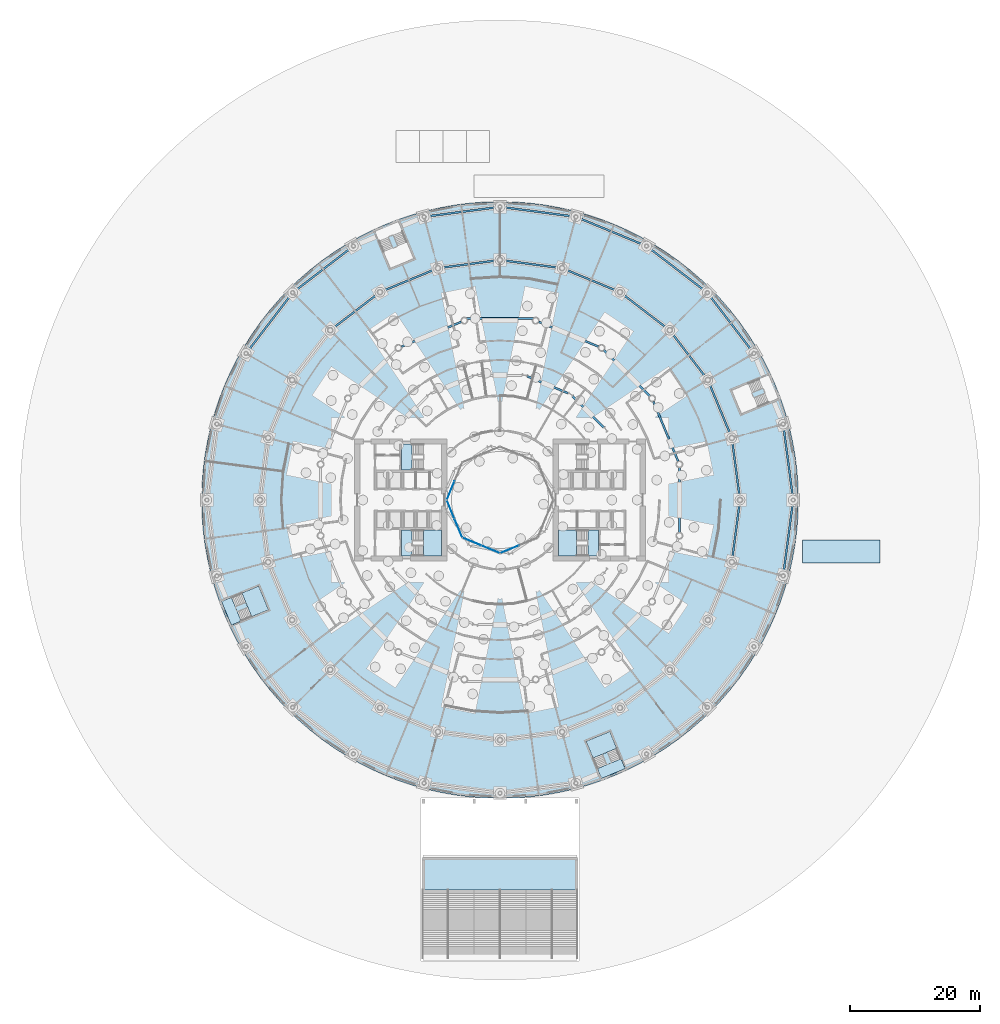
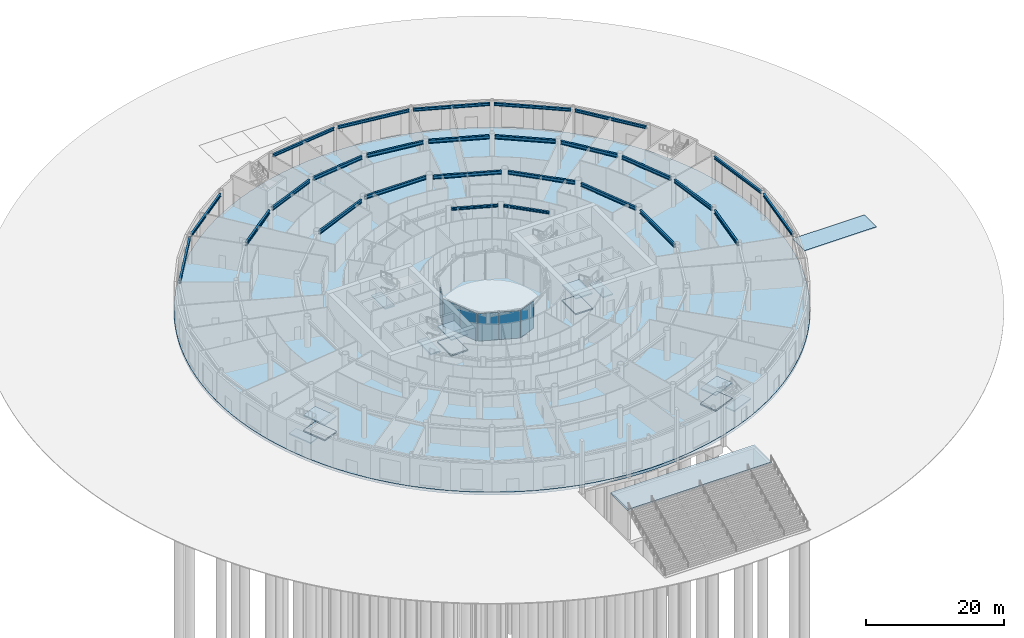
# One storey, part 15 of 41: 27 beams, 16 slabs, 6 plates, 9 elements without a shape of their own.
"""IFC4 building model written with IfcOpenShell, lengths in metres."""

import ifcopenshell
import ifcopenshell.guid

model = None  # the IFC model being written
_history = None  # IfcOwnerHistory: only IFC2X3 demands one
_inside = {}  # id of a spatial element -> (the spatial element, [elements in it])
_under = {}  # id of a project, library or spatial element -> (it, [spatial elements below it])
_declared = {}  # id of a project -> (the project, [libraries it declares])
_typed = {}  # id of a type object -> (the type object, [elements of that type])
_made_of = {}  # id of a material, layer set ... -> (it, [elements and type objects made of it])


def new_model(schema):
    """Start an empty IFC model of exactly this schema.

    Asked for "IFC4X3", IfcOpenShell would pick the latest addendum, in which some entities
    have other attributes; the version numbers below select the first issue.
    IFC2X3 requires an IfcOwnerHistory on every rooted entity: one is made here for all.
    """
    global model, _history
    if schema == "IFC4X3":
        model = ifcopenshell.file(schema_version=(4, 3, 0, 0))
    else:
        model = ifcopenshell.file(schema=schema)
    _inside.clear()
    _under.clear()
    _declared.clear()
    _typed.clear()
    _made_of.clear()
    _history = None
    if model.schema == "IFC2X3":
        org = make("IfcOrganization", Name="unknown")
        user = make(
            "IfcPersonAndOrganization",
            ThePerson=make("IfcPerson", FamilyName="unknown"),
            TheOrganization=org,
        )
        app = make(
            "IfcApplication",
            ApplicationDeveloper=org,
            Version="unknown",
            ApplicationFullName="unknown",
            ApplicationIdentifier="unknown",
        )
        _history = make(
            "IfcOwnerHistory",
            OwningUser=user,
            OwningApplication=app,
            ChangeAction="ADDED",
            CreationDate=0,
        )
    return model


def make(cls, **values):
    """One entity of the class cls with the attributes given. An attribute that is None is left unset."""
    return model.create_entity(
        cls, **{name: value for name, value in values.items() if value is not None}
    )


def rooted(cls, **values):
    """An entity with a GlobalId (a new one), such as an element, a storey or a relation."""
    return make(cls, GlobalId=ifcopenshell.guid.new(), OwnerHistory=_history, **values)


def si_unit(unit_type, name, prefix=None):
    """IfcSIUnit, for example si_unit("LENGTHUNIT", "METRE", prefix="MILLI")."""
    return make("IfcSIUnit", UnitType=unit_type, Prefix=prefix, Name=name)


def assignment(units):
    """IfcUnitAssignment: the units of a project."""
    return None if units is None else make("IfcUnitAssignment", Units=units)


def point(xyz):
    """IfcCartesianPoint."""
    return None if xyz is None else make("IfcCartesianPoint", Coordinates=xyz)


def direction(xyz):
    """IfcDirection."""
    return None if xyz is None else make("IfcDirection", DirectionRatios=xyz)


def frame(location, z_axis=None, x_axis=None):
    """IfcAxis2Placement3D, a coordinate frame: its origin and axes. An axis left out is left unset."""
    return make(
        "IfcAxis2Placement3D",
        Location=point(location),
        Axis=direction(z_axis),
        RefDirection=direction(x_axis),
    )


def frame_2d(location, x_axis=None):
    """IfcAxis2Placement2D, a coordinate frame in the plane: its origin and x axis."""
    return make(
        "IfcAxis2Placement2D", Location=point(location), RefDirection=direction(x_axis)
    )


def origin():
    """The frame at (0, 0, 0) with its axes left unset."""
    return frame((0.0, 0.0, 0.0))


def origin_2d():
    """The frame at (0, 0) in the plane with its x axis left unset."""
    return frame_2d((0.0, 0.0))


def place(relative_to, where):
    """IfcLocalPlacement: puts the frame where relative to a parent placement (None: the world)."""
    return make(
        "IfcLocalPlacement", PlacementRelTo=relative_to, RelativePlacement=where
    )


def context(
    kind, dimensions, precision=None, world=None, true_north=None, identifier=None
):
    """IfcGeometricRepresentationContext, for example the 3D "Model" context."""
    return make(
        "IfcGeometricRepresentationContext",
        ContextIdentifier=identifier,
        ContextType=kind,
        CoordinateSpaceDimension=dimensions,
        Precision=precision,
        WorldCoordinateSystem=world,
        TrueNorth=true_north,
    )


def subcontext(parent, identifier, kind, view, scale=None):
    """IfcGeometricRepresentationSubContext, for example "Body" below "Model"."""
    return make(
        "IfcGeometricRepresentationSubContext",
        ContextIdentifier=identifier,
        ContextType=kind,
        ParentContext=parent,
        TargetScale=scale,
        TargetView=view,
    )


def project(units=None, contexts=None):
    """IfcProject with its units and contexts."""
    return rooted(
        "IfcProject",
        Name="project",
        RepresentationContexts=contexts,
        UnitsInContext=assignment(units),
    )


def spatial(cls, under=None, at=None, **own):
    """A site, building, storey or space (cls), placed at a placement, below another one or the project."""
    s = rooted(cls, ObjectPlacement=at, **own)
    if under is not None:
        _under.setdefault(under.id(), (under, []))[1].append(s)
    return s


def polyline(points):
    """IfcPolyline through the points."""
    return make("IfcPolyline", Points=[point(p) for p in points])


def profile(cls, at=None, kind="AREA", **sizes):
    """A parametric profile (cls). Its sizes go by their IFC names, for example OverallWidth=200.0."""
    return make(cls, ProfileType=kind, Position=at, **sizes)


def rectangle(**sizes):
    """IfcRectangleProfileDef."""
    return profile("IfcRectangleProfileDef", **sizes)


def i_section(**sizes):
    """IfcIShapeProfileDef."""
    return profile("IfcIShapeProfileDef", **sizes)


def outline(outer, holes=None, kind="AREA"):
    """IfcArbitraryClosedProfileDef: a profile drawn as a closed curve; with holes, ...WithVoids."""
    if holes is None:
        return make("IfcArbitraryClosedProfileDef", ProfileType=kind, OuterCurve=outer)
    return make(
        "IfcArbitraryProfileDefWithVoids",
        ProfileType=kind,
        OuterCurve=outer,
        InnerCurves=holes,
    )


def extrude(swept, where, along, depth):
    """IfcExtrudedAreaSolid: the profile swept, set in the frame where, extruded along a direction by depth."""
    return make(
        "IfcExtrudedAreaSolid",
        SweptArea=swept,
        Position=where,
        ExtrudedDirection=direction(along),
        Depth=depth,
    )


def shape(context_of_items, identifier, shape_type, items):
    """IfcShapeRepresentation: the items that make up one representation, for example the "Body"."""
    return make(
        "IfcShapeRepresentation",
        ContextOfItems=context_of_items,
        RepresentationIdentifier=identifier,
        RepresentationType=shape_type,
        Items=items,
    )


def material(Name=None, Category=None):
    """IfcMaterial."""
    return make("IfcMaterial", Name=Name, Category=Category)


def layer(
    of_material, thickness, ventilated=None, Name=None, Category=None, Priority=None
):
    """IfcMaterialLayer: one layer of a wall or slab, of a material (None: an air gap)."""
    return make(
        "IfcMaterialLayer",
        Material=of_material,
        LayerThickness=thickness,
        IsVentilated=ventilated,
        Name=Name,
        Category=Category,
        Priority=Priority,
    )


def layer_set(layers, Name=None):
    """IfcMaterialLayerSet."""
    return make("IfcMaterialLayerSet", MaterialLayers=layers, LayerSetName=Name)


def material_profile(
    of_material, cross_section, Name=None, Category=None, Priority=None
):
    """IfcMaterialProfile: a cross section and its material."""
    return make(
        "IfcMaterialProfile",
        Name=Name,
        Material=of_material,
        Profile=cross_section,
        Priority=Priority,
        Category=Category,
    )


def profile_set(profiles, Name=None, composite=None):
    """IfcMaterialProfileSet."""
    return make(
        "IfcMaterialProfileSet",
        Name=Name,
        MaterialProfiles=profiles,
        CompositeProfile=composite,
    )


def made_of(thing, what):
    """Note that an element or type object is made of a material, layer set ...; save() writes the relation."""
    if what is not None:
        _made_of.setdefault(what.id(), (what, []))[1].append(thing)
    return thing


def type_object(cls, material=None, **own):
    """A type object (cls), such as IfcWallType, which elements share."""
    return made_of(rooted(cls, **own), material)


def element(
    cls,
    number,
    at=None,
    inside=None,
    cuts=None,
    type_object=None,
    material=None,
    context=None,
    identifier="Body",
    shape_type=None,
    held_by="IfcProductDefinitionShape",
    body=None,
    shapes=None,
    **own,
):
    """One element of the class cls, such as IfcWall. Its Tag is "e" and its number.

    at: its placement. inside: the storey or other place that contains it. cuts: it is an
    opening in that element (IfcRelVoidsElement). A single representation is given by context,
    identifier, shape_type and body (its items); several are given by shapes. held_by: the class
    of the entity that holds the representations. save() writes the other relations.
    """
    e = rooted(cls, Tag="e%d" % number, ObjectPlacement=at, **own)
    if body is not None:
        shapes = [shape(context, identifier, shape_type, body)]
    if shapes is not None:
        e.Representation = make(held_by, Representations=shapes)
    if inside is not None:
        _inside.setdefault(inside.id(), (inside, []))[1].append(e)
    if cuts is not None:
        rooted(
            "IfcRelVoidsElement", RelatingBuildingElement=cuts, RelatedOpeningElement=e
        )
    if type_object is not None:
        _typed.setdefault(type_object.id(), (type_object, []))[1].append(e)
    return made_of(e, material)


def aggregate(whole, parts):
    """IfcRelAggregates: a whole, such as a stair, and the parts it consists of."""
    return rooted("IfcRelAggregates", RelatingObject=whole, RelatedObjects=parts)


def save(model, path):
    """Write the relations noted so far, then the file.

    IfcRelAggregates (storeys below a building ...), IfcRelContainedInSpatialStructure (elements
    in a storey), IfcRelDefinesByType, IfcRelAssociatesMaterial and IfcRelDeclares: one each for
    every whole, place, type object, material and project.
    """
    for whole, parts in _under.values():
        aggregate(whole, parts)
    for where, things in _inside.values():
        rooted(
            "IfcRelContainedInSpatialStructure",
            RelatedElements=things,
            RelatingStructure=where,
        )
    for kind, things in _typed.values():
        rooted("IfcRelDefinesByType", RelatedObjects=things, RelatingType=kind)
    for what, things in _made_of.values():
        rooted("IfcRelAssociatesMaterial", RelatedObjects=things, RelatingMaterial=what)
    for by, libraries in _declared.values():
        rooted("IfcRelDeclares", RelatingContext=by, RelatedDefinitions=libraries)
    model.write(path)


model = new_model("IFC4")

# Units and contexts
model_context = context("Model", 3, precision=1e-05, world=origin(), true_north=direction((0.0, 1.0)))
body_context = subcontext(model_context, "Body", "Model", "MODEL_VIEW")
ifc_project = project(units=[si_unit("LENGTHUNIT", "METRE"), si_unit("AREAUNIT", "SQUARE_METRE"), si_unit("VOLUMEUNIT", "CUBIC_METRE"), si_unit("PLANEANGLEUNIT", "RADIAN"), si_unit("MASSUNIT", "GRAM", prefix="KILO")], contexts=[model_context])

# Site, building, storey
site_placement = place(None, origin())
site = spatial("IfcSite", under=ifc_project, at=site_placement, CompositionType="ELEMENT")
building_placement = place(site_placement, origin())
building = spatial("IfcBuilding", under=site, at=building_placement, Name="Maasbend Ring Residences", CompositionType="ELEMENT")
storey_placement = place(building_placement, origin())
storey = spatial("IfcBuildingStorey", under=building, at=storey_placement, Name="L00", CompositionType="ELEMENT", Elevation=0.0)

# Beams
ifc_material_1 = material(Name="Steel S355J2", Category="steel")
ifc_material_profile_1 = material_profile(ifc_material_1, i_section(OverallWidth=0.300048828125, OverallDepth=0.39990234375, WebThickness=0.013427734375, FlangeThickness=0.02392578125, FilletRadius=0.027099609375, at=origin_2d()), Name="HEB 400")
ifc_profile_set_1 = profile_set([ifc_material_profile_1], Name="Steel S355J2")
beam_type_1 = type_object("IfcBeamType", Name="Corridor ring beam HEB 400", PredefinedType="BEAM", material=ifc_profile_set_1)
for number, where, z_axis, x_axis, name in (
    (1, (16.00341796875, 11.1826171875, 4.75), (-0.707106781187, 0.707106781187, 0.0), (-0.707106781187, -0.707106781187, 0.0), "Corridor ring beam"),
    (2, (10.505859375, 16.45556640625, 4.75), (-0.92387061516, 0.382704960046, 0.0), (-0.382704960046, -0.92387061516, 0.0), "Corridor ring beam"),
):
    element("IfcBeam", number, at=place(storey_placement, frame(where, z_axis=z_axis, x_axis=x_axis)), inside=storey, type_object=beam_type_1, Name=name, PredefinedType="BEAM", context=body_context, shape_type="SweptSolid", body=[
        extrude(i_section(OverallWidth=0.300048828125, OverallDepth=0.39990234375, WebThickness=0.013427734375, FlangeThickness=0.02392578125, FilletRadius=0.027099609375, at=origin_2d()), origin(), (0.0, 0.0, 1.0), 6.817626953125),
    ])
ifc_material_2 = material(Name="Steel S355J2", Category="steel")
ifc_material_profile_2 = material_profile(ifc_material_2, i_section(OverallWidth=0.300048828125, OverallDepth=0.5, WebThickness=0.014404296875, FlangeThickness=0.028076171875, FilletRadius=0.027099609375, at=origin_2d()), Name="HEB 500")
ifc_profile_set_2 = profile_set([ifc_material_profile_2], Name="Steel S355J2")
beam_type_2 = type_object("IfcBeamType", Name="Podium ring beam HEB 500", PredefinedType="BEAM", material=ifc_profile_set_2)
for number, where, z_axis, x_axis, name in (
    (3, (45.16015625, 0.302490234375, 4.699951171875), (-0.130519983501, 0.991445678747, 0.0), (-0.991445678747, -0.130519983501, 0.0), "Podium ring beam"),
    (4, (38.95849609375, 22.842041015625, 4.699951171875), (-0.608750763691, 0.793361523963, 0.0), (-0.793361523963, -0.608750763691, 0.0), "Podium ring beam"),
    (5, (31.71923828125, 32.14697265625, 4.699951171875), (-0.793361523963, 0.608750763691, 0.0), (-0.608750763691, -0.793361523963, 0.0), "Podium ring beam"),
    (6, (22.318115234375, 39.260986328125, 4.699951171875), (-0.923872164384, 0.382701220114, 0.0), (-0.382701220114, -0.923872164384, 0.0), "Podium ring beam"),
    (7, (11.396240234375, 43.69970703125, 4.699951171875), (-0.991445678747, 0.130519983501, 0.0), (-0.130519983501, -0.991445678747, 0.0), "Podium ring beam"),
    (8, (-0.302490234375, 45.16015625, 4.699951171875), (-0.991445678747, -0.130519983501, 0.0), (0.130519983501, -0.991445678747, 0.0), "Podium ring beam"),
    (9, (-22.842041015625, 38.95849609375, 4.699951171875), (-0.793361523963, -0.608750763691, 0.0), (0.608750763691, -0.793361523963, 0.0), "Podium ring beam"),
    (10, (-32.14697265625, 31.71923828125, 4.699951171875), (-0.608750763691, -0.793361523963, 0.0), (0.793361523963, -0.608750763691, 0.0), "Podium ring beam"),
    (11, (43.69970703125, -11.396240234375, 4.699951171875), (0.130519983501, 0.991445678747, 0.0), (-0.991445678747, 0.130519983501, 0.0), "Podium ring beam"),
):
    element("IfcBeam", number, at=place(storey_placement, frame(where, z_axis=z_axis, x_axis=x_axis)), inside=storey, type_object=beam_type_2, Name=name, PredefinedType="BEAM", context=body_context, shape_type="SweptSolid", body=[
        extrude(i_section(OverallWidth=0.300048828125, OverallDepth=0.5, WebThickness=0.014404296875, FlangeThickness=0.028076171875, FilletRadius=0.027099609375, at=origin_2d()), origin(), (0.0, 0.0, 1.0), 11.189453125),
    ])
ifc_material_3 = material(Name="Steel S460M", Category="steel")
ifc_material_profile_3 = material_profile(ifc_material_3, i_section(OverallWidth=0.300048828125, OverallDepth=0.60009765625, WebThickness=0.015380859375, FlangeThickness=0.030029296875, FilletRadius=0.027099609375, at=origin_2d()), Name="HEB 600")
ifc_profile_set_3 = profile_set([ifc_material_profile_3], Name="Steel S460M")
beam_type_3 = type_object("IfcBeamType", Name="Podium ring beam HEB 600", PredefinedType="BEAM", material=ifc_profile_set_3)
for number, where, z_axis, x_axis, name in (
    (12, (36.947021484375, 0.403076171875, 4.64990234375), (-0.13051662461, 0.991446120927, 0.0), (-0.991446120927, -0.13051662461, 0.0), "Podium ring beam"),
    (13, (35.583740234375, 9.951904296875, 4.64990234375), (-0.382688167356, 0.923877571199, 0.0), (-0.923877571199, -0.382688167356, 0.0), "Podium ring beam"),
    (14, (31.79541015625, 18.822509765625, 4.64990234375), (-0.608751326002, 0.793361092499, 0.0), (-0.793361092499, -0.608751326002, 0.0), "Podium ring beam"),
    (15, (25.840576171875, 26.410400390625, 4.64990234375), (-0.793361092499, 0.608751326002, 0.0), (-0.608751326002, -0.793361092499, 0.0), "Podium ring beam"),
    (16, (18.12451171875, 32.198486328125, 4.64990234375), (-0.923877571199, 0.382688167356, 0.0), (-0.382688167356, -0.923877571199, 0.0), "Podium ring beam"),
    (17, (9.17333984375, 35.79248046875, 4.64990234375), (-0.991446120927, 0.13051662461, 0.0), (-0.13051662461, -0.991446120927, 0.0), "Podium ring beam"),
    (18, (-0.403076171875, 36.947021484375, 4.64990234375), (-0.991446120927, -0.13051662461, 0.0), (0.13051662461, -0.991446120927, 0.0), "Podium ring beam"),
    (19, (-9.951904296875, 35.583740234375, 4.64990234375), (-0.923877571199, -0.382688167356, 0.0), (0.382688167356, -0.923877571199, 0.0), "Podium ring beam"),
    (20, (-18.822509765625, 31.79541015625, 4.64990234375), (-0.793361092499, -0.608751326002, 0.0), (0.608751326002, -0.793361092499, 0.0), "Podium ring beam"),
    (21, (35.79248046875, -9.17333984375, 4.64990234375), (0.13051662461, 0.991446120927, 0.0), (-0.991446120927, 0.13051662461, 0.0), "Podium ring beam"),
):
    element("IfcBeam", number, at=place(storey_placement, frame(where, z_axis=z_axis, x_axis=x_axis)), inside=storey, type_object=beam_type_3, Name=name, PredefinedType="BEAM", context=body_context, shape_type="SweptSolid", body=[
        extrude(i_section(OverallWidth=0.300048828125, OverallDepth=0.60009765625, WebThickness=0.015380859375, FlangeThickness=0.030029296875, FilletRadius=0.027099609375, at=origin_2d()), origin(), (0.0, 0.0, 1.0), 8.845947265625),
    ])
ifc_material_4 = material(Name="Steel S460M", Category="steel")
ifc_material_profile_4 = material_profile(ifc_material_4, i_section(OverallWidth=0.300048828125, OverallDepth=0.60009765625, WebThickness=0.015380859375, FlangeThickness=0.030029296875, FilletRadius=0.027099609375, at=origin_2d()), Name="HEB 600")
ifc_profile_set_4 = profile_set([ifc_material_profile_4], Name="Steel S460M")
beam_type_4 = type_object("IfcBeamType", Name="Spandrel ring beam HEB 600", PredefinedType="SPANDREL", material=ifc_profile_set_4)
beam_1_placement = place(storey_placement, frame((27.463623046875, 5.970703125, 4.64990234375), z_axis=(-0.382667003395, 0.923886337442, 0.0), x_axis=(-0.923886337442, -0.382667003395, 0.0)))
element("IfcBeam", 22, at=beam_1_placement, inside=storey, type_object=beam_type_4, Name="Spandrel ring beam", PredefinedType="SPANDREL", context=body_context, shape_type="SweptSolid", body=[
    extrude(i_section(OverallWidth=0.300048828125, OverallDepth=0.60009765625, WebThickness=0.015380859375, FlangeThickness=0.030029296875, FilletRadius=0.027099609375, at=origin_2d()), origin(), (0.0, 0.0, 1.0), 9.9873046875),
])
beam_2_placement = place(storey_placement, frame((23.088134765625, 16.0263671875, 4.64990234375), z_axis=(-0.707106781187, 0.707106781187, 0.0), x_axis=(-0.707106781187, -0.707106781187, 0.0)))
element("IfcBeam", 23, at=beam_2_placement, inside=storey, type_object=beam_type_4, Name="Spandrel ring beam", PredefinedType="SPANDREL", context=body_context, shape_type="SweptSolid", body=[
    extrude(i_section(OverallWidth=0.300048828125, OverallDepth=0.60009765625, WebThickness=0.015380859375, FlangeThickness=0.030029296875, FilletRadius=0.027099609375, at=origin_2d()), origin(), (0.0, 0.0, 1.0), 9.98681640625),
])
beam_3_placement = place(storey_placement, frame((15.19775390625, 23.641845703125, 4.64990234375), z_axis=(-0.923886337442, 0.382667003395, 0.0), x_axis=(-0.382667003395, -0.923886337442, 0.0)))
element("IfcBeam", 24, at=beam_3_placement, inside=storey, type_object=beam_type_4, Name="Spandrel ring beam", PredefinedType="SPANDREL", context=body_context, shape_type="SweptSolid", body=[
    extrude(i_section(OverallWidth=0.300048828125, OverallDepth=0.60009765625, WebThickness=0.015380859375, FlangeThickness=0.030029296875, FilletRadius=0.027099609375, at=origin_2d()), origin(), (0.0, 0.0, 1.0), 9.9873046875),
])
beam_4_placement = place(storey_placement, frame((5.1435546875, 27.9580078125, 4.64990234375), z_axis=(-1.0, 0.0, 0.0), x_axis=(0.0, -1.0, 0.0)))
element("IfcBeam", 25, at=beam_4_placement, inside=storey, type_object=beam_type_4, Name="Spandrel ring beam", PredefinedType="SPANDREL", context=body_context, shape_type="SweptSolid", body=[
    extrude(i_section(OverallWidth=0.300048828125, OverallDepth=0.60009765625, WebThickness=0.015380859375, FlangeThickness=0.030029296875, FilletRadius=0.027099609375, at=origin_2d()), origin(), (0.0, 0.0, 1.0), 10.287109375),
])
beam_5_placement = place(storey_placement, frame((-5.970703125, 27.463623046875, 4.64990234375), z_axis=(-0.923886337442, -0.382667003395, 0.0), x_axis=(0.382667003395, -0.923886337442, 0.0)))
element("IfcBeam", 26, at=beam_5_placement, inside=storey, type_object=beam_type_4, Name="Spandrel ring beam", PredefinedType="SPANDREL", context=body_context, shape_type="SweptSolid", body=[
    extrude(i_section(OverallWidth=0.300048828125, OverallDepth=0.60009765625, WebThickness=0.015380859375, FlangeThickness=0.030029296875, FilletRadius=0.027099609375, at=origin_2d()), origin(), (0.0, 0.0, 1.0), 9.9873046875),
])
beam_6_placement = place(storey_placement, frame((27.658203125, -4.993408203125, 4.64990234375), z_axis=(0.0, 1.0, 0.0), x_axis=(-1.0, 0.0, 0.0)))
element("IfcBeam", 27, at=beam_6_placement, inside=storey, type_object=beam_type_4, Name="Spandrel ring beam", PredefinedType="SPANDREL", context=body_context, shape_type="SweptSolid", body=[
    extrude(i_section(OverallWidth=0.300048828125, OverallDepth=0.60009765625, WebThickness=0.015380859375, FlangeThickness=0.030029296875, FilletRadius=0.027099609375, at=origin_2d()), origin(), (0.0, 0.0, 1.0), 9.98681640625),
])

# Stair, slabs
ifc_material_5 = material(Name="Concrete C40/50", Category="concrete")
stair_type = type_object("IfcStairType", Name="CORE STAIR 32 RISERS", PredefinedType="HALF_TURN_STAIR", material=ifc_material_5)
stair_1_placement = place(storey_placement, origin())
stair_1 = element("IfcStair", 28, at=stair_1_placement, inside=storey, type_object=stair_type, Name="L00 Exit stair ST-E2", PredefinedType="HALF_TURN_STAIR")
ifc_material_6 = material(Name="Concrete C40/50", Category="concrete")
ifc_layer_1 = layer(ifc_material_6, 0.199951171875)
ifc_layer_set_1 = layer_set([ifc_layer_1], Name="Concrete C40/50")
slab_type_1 = type_object("IfcSlabType", Name="CORE STAIR LANDING 200", PredefinedType="LANDING", material=ifc_layer_set_1)
slab_1_placement = place(storey_placement, frame((0.0, 0.0, 1.14990234375)))
slab_1 = element("IfcSlab", 29, at=slab_1_placement, type_object=slab_type_1, Name="ST-E2 landing 1", PredefinedType="LANDING", context=body_context, shape_type="SweptSolid", body=[
    extrude(outline(polyline([(11.800048828125, -4.64990234375), (9.0, -4.64990234375), (9.0, -8.60009765625), (11.800048828125, -8.60009765625), (11.800048828125, -4.64990234375)])), origin(), (0.0, 0.0, 1.0), 0.2001953125),
])
slab_2_placement = place(storey_placement, frame((0.0, 0.0, 2.5)))
slab_2 = element("IfcSlab", 30, at=slab_2_placement, type_object=slab_type_1, Name="ST-E2 landing 2", PredefinedType="LANDING", context=body_context, shape_type="SweptSolid", body=[
    extrude(outline(polyline([(15.199951171875, -4.64990234375), (13.550048828125, -4.64990234375), (13.550048828125, -8.60009765625), (15.199951171875, -8.60009765625), (15.199951171875, -4.64990234375)])), origin(), (0.0, 0.0, 1.0), 0.199951171875),
])
slab_3_placement = place(storey_placement, frame((0.0, 0.0, 3.85009765625)))
slab_3 = element("IfcSlab", 31, at=slab_3_placement, type_object=slab_type_1, Name="ST-E2 landing 3", PredefinedType="LANDING", context=body_context, shape_type="SweptSolid", body=[
    extrude(outline(polyline([(11.800048828125, -4.64990234375), (9.0, -4.64990234375), (9.0, -8.60009765625), (11.800048828125, -8.60009765625), (11.800048828125, -4.64990234375)])), origin(), (0.0, 0.0, 1.0), 0.199951171875),
])
aggregate(stair_1, [slab_1, slab_2, slab_3])

stair_2_placement = place(storey_placement, origin())
stair_2 = element("IfcStair", 32, at=stair_2_placement, inside=storey, type_object=stair_type, Name="L00 Exit stair ST-W1", PredefinedType="HALF_TURN_STAIR")
slab_4_placement = place(storey_placement, frame((0.0, 0.0, 1.14990234375)))
slab_4 = element("IfcSlab", 33, at=slab_4_placement, type_object=slab_type_1, Name="ST-W1 landing 1", PredefinedType="LANDING", context=body_context, shape_type="SweptSolid", body=[
    extrude(outline(polyline([(-11.800048828125, -8.60009765625), (-9.0, -8.60009765625), (-9.0, -4.64990234375), (-11.800048828125, -4.64990234375), (-11.800048828125, -8.60009765625)])), origin(), (0.0, 0.0, 1.0), 0.2001953125),
])
slab_5_placement = place(storey_placement, frame((0.0, 0.0, 2.5)))
slab_5 = element("IfcSlab", 34, at=slab_5_placement, type_object=slab_type_1, Name="ST-W1 landing 2", PredefinedType="LANDING", context=body_context, shape_type="SweptSolid", body=[
    extrude(outline(polyline([(-15.199951171875, -8.60009765625), (-13.550048828125, -8.60009765625), (-13.550048828125, -4.64990234375), (-15.199951171875, -4.64990234375), (-15.199951171875, -8.60009765625)])), origin(), (0.0, 0.0, 1.0), 0.199951171875),
])
slab_6_placement = place(storey_placement, frame((0.0, 0.0, 3.85009765625)))
slab_6 = element("IfcSlab", 35, at=slab_6_placement, type_object=slab_type_1, Name="ST-W1 landing 3", PredefinedType="LANDING", context=body_context, shape_type="SweptSolid", body=[
    extrude(outline(polyline([(-11.800048828125, -8.60009765625), (-9.0, -8.60009765625), (-9.0, -4.64990234375), (-11.800048828125, -4.64990234375), (-11.800048828125, -8.60009765625)])), origin(), (0.0, 0.0, 1.0), 0.199951171875),
])
aggregate(stair_2, [slab_4, slab_5, slab_6])

# Stair, slab
stair_3_placement = place(storey_placement, origin())
stair_3 = element("IfcStair", 36, at=stair_3_placement, inside=storey, type_object=stair_type, Name="L00 Exit stair ST-W2", PredefinedType="HALF_TURN_STAIR")
slab_7_placement = place(storey_placement, frame((0.0, 0.0, 2.5)))
slab_7 = element("IfcSlab", 37, at=slab_7_placement, type_object=slab_type_1, Name="ST-W2 landing 2", PredefinedType="LANDING", context=body_context, shape_type="SweptSolid", body=[
    extrude(outline(polyline([(-15.199951171875, 4.64990234375), (-13.550048828125, 4.64990234375), (-13.550048828125, 8.60009765625), (-15.199951171875, 8.60009765625), (-15.199951171875, 4.64990234375)])), origin(), (0.0, 0.0, 1.0), 0.199951171875),
])
aggregate(stair_3, [slab_7])

# Stair, slabs
stair_4_placement = place(storey_placement, origin())
stair_4 = element("IfcStair", 38, at=stair_4_placement, inside=storey, type_object=stair_type, Name="L00 Exit stair ST-P2", PredefinedType="HALF_TURN_STAIR")
slab_8_placement = place(storey_placement, frame((0.0, 0.0, 1.14990234375)))
slab_8 = element("IfcSlab", 39, at=slab_8_placement, type_object=slab_type_1, Name="ST-P2 landing 1", PredefinedType="LANDING", context=body_context, shape_type="SweptSolid", body=[
    extrude(outline(polyline([(17.992919921875, -38.278076171875), (16.921630859375, -35.691162109375), (13.272216796875, -37.202880859375), (14.34375, -39.789794921875), (17.992919921875, -38.278076171875)])), origin(), (0.0, 0.0, 1.0), 0.2001953125),
])
slab_9_placement = place(storey_placement, frame((0.0, 0.0, 2.5)))
slab_9 = element("IfcSlab", 40, at=slab_9_placement, type_object=slab_type_1, Name="ST-P2 landing 2", PredefinedType="LANDING", context=body_context, shape_type="SweptSolid", body=[
    extrude(outline(polyline([(19.294189453125, -41.419189453125), (18.662841796875, -39.89501953125), (15.013427734375, -41.406494140625), (15.644775390625, -42.930908203125), (19.294189453125, -41.419189453125)])), origin(), (0.0, 0.0, 1.0), 0.199951171875),
])
slab_10_placement = place(storey_placement, frame((0.0, 0.0, 3.85009765625)))
slab_10 = element("IfcSlab", 41, at=slab_10_placement, type_object=slab_type_1, Name="ST-P2 landing 3", PredefinedType="LANDING", context=body_context, shape_type="SweptSolid", body=[
    extrude(outline(polyline([(17.992919921875, -38.278076171875), (16.921630859375, -35.691162109375), (13.272216796875, -37.202880859375), (14.34375, -39.789794921875), (17.992919921875, -38.278076171875)])), origin(), (0.0, 0.0, 1.0), 0.199951171875),
])
aggregate(stair_4, [slab_8, slab_9, slab_10])

stair_5_placement = place(storey_placement, origin())
stair_5 = element("IfcStair", 42, at=stair_5_placement, inside=storey, type_object=stair_type, Name="L00 Exit stair ST-P6", PredefinedType="HALF_TURN_STAIR")
slab_11_placement = place(storey_placement, frame((0.0, 0.0, 1.14990234375)))
slab_11 = element("IfcSlab", 43, at=slab_11_placement, type_object=slab_type_1, Name="ST-P6 landing 1", PredefinedType="LANDING", context=body_context, shape_type="SweptSolid", body=[
    extrude(outline(polyline([(-38.278076171875, -17.992919921875), (-35.691162109375, -16.921630859375), (-37.202880859375, -13.272216796875), (-39.789794921875, -14.34375), (-38.278076171875, -17.992919921875)])), origin(), (0.0, 0.0, 1.0), 0.2001953125),
])
slab_12_placement = place(storey_placement, frame((0.0, 0.0, 2.5)))
slab_12 = element("IfcSlab", 44, at=slab_12_placement, type_object=slab_type_1, Name="ST-P6 landing 2", PredefinedType="LANDING", context=body_context, shape_type="SweptSolid", body=[
    extrude(outline(polyline([(-41.419189453125, -19.294189453125), (-39.89501953125, -18.662841796875), (-41.406494140625, -15.013427734375), (-42.930908203125, -15.644775390625), (-41.419189453125, -19.294189453125)])), origin(), (0.0, 0.0, 1.0), 0.199951171875),
])
slab_13_placement = place(storey_placement, frame((0.0, 0.0, 3.85009765625)))
slab_13 = element("IfcSlab", 45, at=slab_13_placement, type_object=slab_type_1, Name="ST-P6 landing 3", PredefinedType="LANDING", context=body_context, shape_type="SweptSolid", body=[
    extrude(outline(polyline([(-38.278076171875, -17.992919921875), (-35.691162109375, -16.921630859375), (-37.202880859375, -13.272216796875), (-39.789794921875, -14.34375), (-38.278076171875, -17.992919921875)])), origin(), (0.0, 0.0, 1.0), 0.199951171875),
])
aggregate(stair_5, [slab_11, slab_12, slab_13])

# Curtain wall, plate
ifc_material_7 = material(Name="Aluminium and clear glass", Category="aluminium")
ifc_layer_2 = layer(ifc_material_7, 0.199951171875)
ifc_layer_set_2 = layer_set([ifc_layer_2], Name="CW-LR")
curtain_wall_type = type_object("IfcCurtainWallType", Name="CW-LR", PredefinedType="NOTDEFINED", material=ifc_layer_set_2)
curtain_wall_1_placement = place(storey_placement, origin())
curtain_wall_1 = element("IfcCurtainWall", 46, at=curtain_wall_1_placement, inside=storey, type_object=curtain_wall_type, Name="Lobby ring curtain wall 04", PredefinedType="NOTDEFINED")
ifc_material_8 = material(Name="Glass clear laminated", Category="glass")
ifc_layer_3 = layer(ifc_material_8, 0.035888671875)
ifc_layer_set_3 = layer_set([ifc_layer_3], Name="CWP-LR")
plate_type = type_object("IfcPlateType", Name="CWP-LR", PredefinedType="CURTAIN_PANEL", material=ifc_layer_set_3)
plate_1_placement = place(storey_placement, frame((-7.607177734375, 1.468505859375, 0.0), z_axis=(0.0, 0.0, 1.0), x_axis=(-0.382683432365, -0.923879532511, 0.0)))
plate_1 = element("IfcPlate", 47, at=plate_1_placement, type_object=plate_type, Name="Glass panel podium lobby ring", PredefinedType="CURTAIN_PANEL", context=body_context, shape_type="SweptSolid", body=[
    extrude(rectangle(XDim=3.038818359375, YDim=0.035888671875, at=origin_2d()), origin(), (0.0, 0.0, 1.0), 4.830078125),
])
aggregate(curtain_wall_1, [plate_1])

# Curtain wall, plates
curtain_wall_2_placement = place(storey_placement, origin())
curtain_wall_2 = element("IfcCurtainWall", 48, at=curtain_wall_2_placement, inside=storey, type_object=curtain_wall_type, Name="Lobby ring curtain wall 05", PredefinedType="NOTDEFINED")
plate_2_placement = place(storey_placement, frame((-7.607177734375, -1.468505859375, 0.0), z_axis=(0.0, 0.0, 1.0), x_axis=(0.382683432365, -0.923879532511, 0.0)))
plate_2 = element("IfcPlate", 49, at=plate_2_placement, type_object=plate_type, Name="Glass panel podium lobby ring", PredefinedType="CURTAIN_PANEL", context=body_context, shape_type="SweptSolid", body=[
    extrude(rectangle(XDim=3.038818359375, YDim=0.035888671875, at=origin_2d()), origin(), (0.0, 0.0, 1.0), 4.830078125),
])
plate_3_placement = place(storey_placement, frame((-6.41748046875, -4.340576171875, 0.0), z_axis=(0.0, 0.0, 1.0), x_axis=(0.382683432365, -0.923879532511, 0.0)))
plate_3 = element("IfcPlate", 50, at=plate_3_placement, type_object=plate_type, Name="Glass panel podium lobby ring", PredefinedType="CURTAIN_PANEL", context=body_context, shape_type="SweptSolid", body=[
    extrude(rectangle(XDim=3.038818359375, YDim=0.035888671875, at=origin_2d()), origin(), (0.0, 0.0, 1.0), 4.830078125),
])
aggregate(curtain_wall_2, [plate_2, plate_3])

curtain_wall_3_placement = place(storey_placement, origin())
curtain_wall_3 = element("IfcCurtainWall", 51, at=curtain_wall_3_placement, inside=storey, type_object=curtain_wall_type, Name="Lobby ring curtain wall 06", PredefinedType="NOTDEFINED")
plate_4_placement = place(storey_placement, frame((-4.340576171875, -6.41748046875, 0.0), z_axis=(0.0, 0.0, 1.0), x_axis=(0.923879532511, -0.382683432365, 0.0)))
plate_4 = element("IfcPlate", 52, at=plate_4_placement, type_object=plate_type, Name="Glass panel podium lobby ring", PredefinedType="CURTAIN_PANEL", context=body_context, shape_type="SweptSolid", body=[
    extrude(rectangle(XDim=3.038818359375, YDim=0.035888671875, at=origin_2d()), origin(), (0.0, 0.0, 1.0), 4.830078125),
])
plate_5_placement = place(storey_placement, frame((-1.468505859375, -7.607177734375, 0.0), z_axis=(0.0, 0.0, 1.0), x_axis=(0.923879532511, -0.382683432365, 0.0)))
plate_5 = element("IfcPlate", 53, at=plate_5_placement, type_object=plate_type, Name="Glass panel podium lobby ring", PredefinedType="CURTAIN_PANEL", context=body_context, shape_type="SweptSolid", body=[
    extrude(rectangle(XDim=3.038818359375, YDim=0.035888671875, at=origin_2d()), origin(), (0.0, 0.0, 1.0), 4.830078125),
])
aggregate(curtain_wall_3, [plate_4, plate_5])

# Curtain wall, plate
curtain_wall_4_placement = place(storey_placement, origin())
curtain_wall_4 = element("IfcCurtainWall", 54, at=curtain_wall_4_placement, inside=storey, type_object=curtain_wall_type, Name="Lobby ring curtain wall 07", PredefinedType="NOTDEFINED")
plate_6_placement = place(storey_placement, frame((1.468505859375, -7.607177734375, 0.0), z_axis=(0.0, 0.0, 1.0), x_axis=(0.923879532511, 0.382683432365, 0.0)))
plate_6 = element("IfcPlate", 55, at=plate_6_placement, type_object=plate_type, Name="Glass panel podium lobby ring", PredefinedType="CURTAIN_PANEL", context=body_context, shape_type="SweptSolid", body=[
    extrude(rectangle(XDim=3.038818359375, YDim=0.035888671875, at=origin_2d()), origin(), (0.0, 0.0, 1.0), 4.830078125),
])
aggregate(curtain_wall_4, [plate_6])

# Slabs
ifc_material_9 = material(Name="Granite paving", Category="masonry")
ifc_layer_4 = layer(ifc_material_9, 0.14990234375)
ifc_layer_set_4 = layer_set([ifc_layer_4], Name="PAVING-PLAZA")
slab_type_2 = type_object("IfcSlabType", Name="PAVING-PLAZA", PredefinedType="USERDEFINED", material=ifc_layer_set_4)
slab_14_placement = place(storey_placement, frame((0.0, 0.0, -0.14990234375)))
element("IfcSlab", 56, at=slab_14_placement, inside=storey, type_object=slab_type_2, Name="Loading bay 3.5 x 12 m", ObjectType="PAVING", PredefinedType="USERDEFINED", context=body_context, shape_type="SweptSolid", body=[
    extrude(outline(polyline([(58.60009765625, -9.699951171875), (58.60009765625, -6.199951171875), (46.60009765625, -6.199951171875), (46.60009765625, -9.699951171875), (58.60009765625, -9.699951171875)])), origin(), (0.0, 0.0, 1.0), 0.14990234375),
])
ifc_material_10 = material(Name="Concrete C35/45", Category="concrete")
ifc_layer_5 = layer(ifc_material_10, 0.300048828125)
ifc_layer_set_5 = layer_set([ifc_layer_5], Name="Concrete C35/45")
slab_type_3 = type_object("IfcSlabType", Name="ST-BROAD-LD", PredefinedType="LANDING", material=ifc_layer_set_5)
slab_15_placement = place(storey_placement, frame((0.0, 0.0, 5.10009765625)))
element("IfcSlab", 57, at=slab_15_placement, inside=storey, type_object=slab_type_3, Name="Broad stair terrace slab", PredefinedType="LANDING", context=body_context, shape_type="SweptSolid", body=[
    extrude(outline(polyline([(-12.0, -60.10009765625), (12.0, -60.10009765625), (12.0, -55.10009765625), (-12.0, -55.10009765625), (-12.0, -60.10009765625)])), origin(), (0.0, 0.0, 1.0), 0.2998046875),
])
ifc_material_11 = material(Name="Concrete C40/50", Category="concrete")
ifc_layer_6 = layer(ifc_material_11, 0.5)
ifc_layer_set_6 = layer_set([ifc_layer_6], Name="Concrete C40/50")
slab_type_4 = type_object("IfcSlabType", Name="Suspended ground slab 500", PredefinedType="BASESLAB", material=ifc_layer_set_6)
slab_16_placement = place(storey_placement, frame((0.0, 0.0, -0.5)))
element("IfcSlab", 58, at=slab_16_placement, inside=storey, type_object=slab_type_4, Name="Suspended ground slab L00", PredefinedType="BASESLAB", context=body_context, shape_type="SweptSolid", body=[
    extrude(outline(polyline([(46.0, 0.0), (45.944580078125, 2.257080078125), (45.778564453125, 4.5087890625), (45.502197265625, 6.74951171875), (45.1162109375, 8.97412109375), (44.621337890625, 11.177001953125), (44.019287109375, 13.35302734375), (43.31103515625, 15.496826171875), (42.49853515625, 17.603515625), (41.58349609375, 19.66748046875), (40.568359375, 21.68408203125), (39.45556640625, 23.648681640625), (38.24755859375, 25.55615234375), (36.947509765625, 27.402099609375), (35.55859375, 29.18212890625), (34.083740234375, 30.8916015625), (32.52685546875, 32.52685546875), (30.8916015625, 34.083740234375), (29.18212890625, 35.55859375), (27.402099609375, 36.947509765625), (25.55615234375, 38.24755859375), (23.648681640625, 39.45556640625), (21.68408203125, 40.568359375), (19.66748046875, 41.58349609375), (17.603515625, 42.49853515625), (15.496826171875, 43.31103515625), (13.35302734375, 44.019287109375), (11.177001953125, 44.621337890625), (8.97412109375, 45.1162109375), (6.74951171875, 45.502197265625), (4.5087890625, 45.778564453125), (2.257080078125, 45.944580078125), (0.0, 46.0), (-2.257080078125, 45.944580078125), (-4.5087890625, 45.778564453125), (-6.74951171875, 45.502197265625), (-8.97412109375, 45.1162109375), (-11.177001953125, 44.621337890625), (-13.35302734375, 44.019287109375), (-15.496826171875, 43.31103515625), (-17.603515625, 42.49853515625), (-19.66748046875, 41.58349609375), (-21.68408203125, 40.568359375), (-23.648681640625, 39.45556640625), (-25.55615234375, 38.24755859375), (-27.402099609375, 36.947509765625), (-29.18212890625, 35.55859375), (-30.8916015625, 34.083740234375), (-32.52685546875, 32.52685546875), (-34.083740234375, 30.8916015625), (-35.55859375, 29.18212890625), (-36.947509765625, 27.402099609375), (-38.24755859375, 25.55615234375), (-39.45556640625, 23.648681640625), (-40.568359375, 21.68408203125), (-41.58349609375, 19.66748046875), (-42.49853515625, 17.603515625), (-43.31103515625, 15.496826171875), (-44.019287109375, 13.35302734375), (-44.621337890625, 11.177001953125), (-45.1162109375, 8.97412109375), (-45.502197265625, 6.74951171875), (-45.778564453125, 4.5087890625), (-45.944580078125, 2.257080078125), (-46.0, 0.0), (-45.944580078125, -2.257080078125), (-45.778564453125, -4.5087890625), (-45.502197265625, -6.74951171875), (-45.1162109375, -8.97412109375), (-44.621337890625, -11.177001953125), (-44.019287109375, -13.35302734375), (-43.31103515625, -15.496826171875), (-42.49853515625, -17.603515625), (-41.58349609375, -19.66748046875), (-40.568359375, -21.68408203125), (-39.45556640625, -23.648681640625), (-38.24755859375, -25.55615234375), (-36.947509765625, -27.402099609375), (-35.55859375, -29.18212890625), (-34.083740234375, -30.8916015625), (-32.52685546875, -32.52685546875), (-30.8916015625, -34.083740234375), (-29.18212890625, -35.55859375), (-27.402099609375, -36.947509765625), (-25.55615234375, -38.24755859375), (-23.648681640625, -39.45556640625), (-21.68408203125, -40.568359375), (-19.66748046875, -41.58349609375), (-17.603515625, -42.49853515625), (-15.496826171875, -43.31103515625), (-13.35302734375, -44.019287109375), (-11.177001953125, -44.621337890625), (-8.97412109375, -45.1162109375), (-6.74951171875, -45.502197265625), (-4.5087890625, -45.778564453125), (-2.257080078125, -45.944580078125), (0.0, -46.0), (2.257080078125, -45.944580078125), (4.5087890625, -45.778564453125), (6.74951171875, -45.502197265625), (8.97412109375, -45.1162109375), (11.177001953125, -44.621337890625), (13.35302734375, -44.019287109375), (15.496826171875, -43.31103515625), (17.603515625, -42.49853515625), (19.66748046875, -41.58349609375), (21.68408203125, -40.568359375), (23.648681640625, -39.45556640625), (25.55615234375, -38.24755859375), (27.402099609375, -36.947509765625), (29.18212890625, -35.55859375), (30.8916015625, -34.083740234375), (32.52685546875, -32.52685546875), (34.083740234375, -30.8916015625), (35.55859375, -29.18212890625), (36.947509765625, -27.402099609375), (38.24755859375, -25.55615234375), (39.45556640625, -23.648681640625), (40.568359375, -21.68408203125), (41.58349609375, -19.66748046875), (42.49853515625, -17.603515625), (43.31103515625, -15.496826171875), (44.019287109375, -13.35302734375), (44.621337890625, -11.177001953125), (45.1162109375, -8.97412109375), (45.502197265625, -6.74951171875), (45.778564453125, -4.5087890625), (45.944580078125, -2.257080078125), (46.0, 0.0)])), origin(), (0.0, 0.0, 1.0), 0.5),
])

save(model, "model.ifc")
